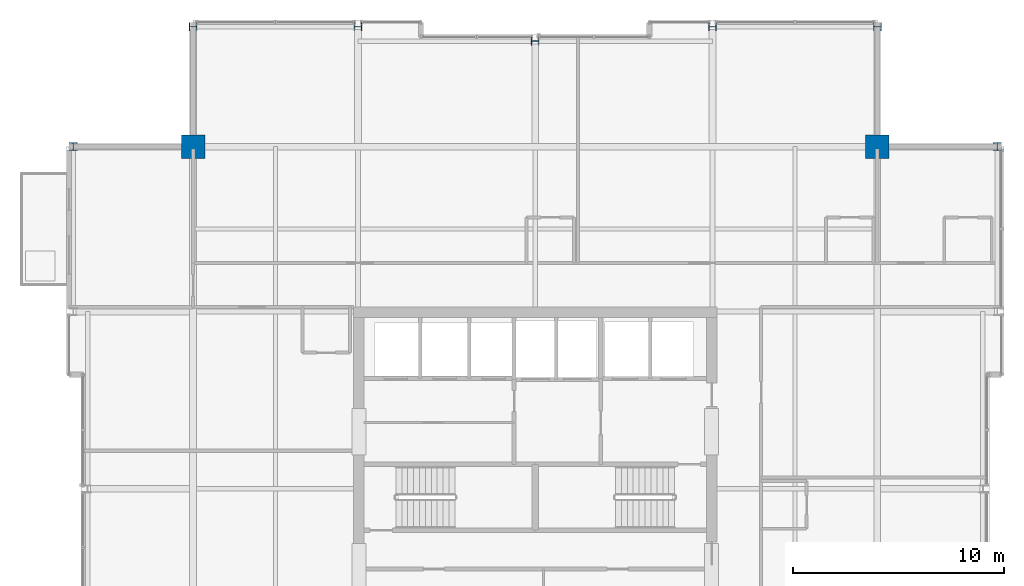
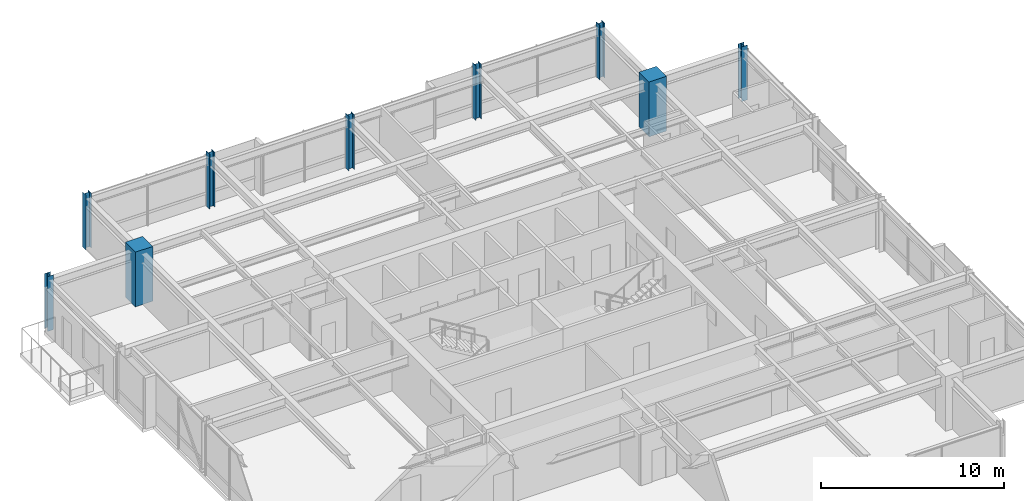
# One storey, part 3 of 33: 9 columns.
"""IFC4 building model written with IfcOpenShell, lengths in metres."""

from ifc_helpers import new_model, si_unit, direction, frame, origin, origin_2d, place, context, subcontext, project, spatial, rectangle, i_section, extrude, material, material_profile, profile_set, type_object, element, save


model = new_model("IFC4")

# Units and contexts
model_context = context("Model", 3, precision=1e-05, world=origin(), true_north=direction((0.0, 1.0)))
body_context = subcontext(model_context, "Body", "Model", "MODEL_VIEW")
ifc_project = project(units=[si_unit("LENGTHUNIT", "METRE"), si_unit("AREAUNIT", "SQUARE_METRE"), si_unit("VOLUMEUNIT", "CUBIC_METRE"), si_unit("PLANEANGLEUNIT", "RADIAN"), si_unit("MASSUNIT", "GRAM", prefix="KILO")], contexts=[model_context])

# Site, building, storey
site_placement = place(None, origin())
site = spatial("IfcSite", under=ifc_project, at=site_placement, CompositionType="ELEMENT")
building_placement = place(site_placement, origin())
building = spatial("IfcBuilding", under=site, at=building_placement, Name="Drelvath Grand Hotel", CompositionType="ELEMENT")
storey_placement = place(building_placement, frame((0.0, 0.0, 279.60009765625)))
storey = spatial("IfcBuildingStorey", under=building, at=storey_placement, Name="L73", CompositionType="ELEMENT", Elevation=279.60009765625)

# Columns
ifc_material_1 = material(Name="Concrete f'c 55 MPa", Category="concrete")
ifc_material_profile_1 = material_profile(ifc_material_1, rectangle(XDim=1.10009765625, YDim=1.10009765625, at=origin_2d()), Name="MC1100X1100")
ifc_profile_set_1 = profile_set([ifc_material_profile_1], Name="Concrete f'c 55 MPa")
column_type_1 = type_object("IfcColumnType", Name="Composite Mega Column MC1100X1100", PredefinedType="COLUMN", material=ifc_profile_set_1)
for number, where, z_axis, x_axis, name in (
    (1, (-16.199951171875, 43.199951171875, 0.0), (0.0, 0.0, 1.0), (1.0, 0.0, 0.0), "L73 Composite Mega Column MC-NW"),
    (2, (16.199951171875, 43.199951171875, 0.0), (0.0, 0.0, 1.0), (1.0, 0.0, 0.0), "L73 Composite Mega Column MC-NE"),
):
    element("IfcColumn", number, at=place(storey_placement, frame(where, z_axis=z_axis, x_axis=x_axis)), inside=storey, type_object=column_type_1, Name=name, PredefinedType="COLUMN", context=body_context, shape_type="SweptSolid", body=[
        extrude(rectangle(XDim=1.10009765625, YDim=1.10009765625, at=origin_2d()), origin(), (0.0, 0.0, 1.0), 3.64990234375),
    ])
ifc_material_2 = material(Name="Steel ASTM A913 Gr 65", Category="steel")
ifc_material_profile_2 = material_profile(ifc_material_2, i_section(OverallWidth=0.368896484375, OverallDepth=0.356201171875, WebThickness=0.01123046875, FlangeThickness=0.01806640625, FilletRadius=0.02490234375, at=origin_2d()), Name="W14X90")
ifc_profile_set_2 = profile_set([ifc_material_profile_2], Name="Steel ASTM A913 Gr 65")
column_type_2 = type_object("IfcColumnType", Name="Perimeter Steel Column W14X90", PredefinedType="COLUMN", material=ifc_profile_set_2)
for number, where, z_axis, x_axis, name in (
    (3, (-21.8798828125, 43.199951171875, 0.0), (0.0, 0.0, 1.0), (1.0, 0.0, 0.0), "L73 Structural Column TCW-G"),
    (4, (21.8798828125, 43.199951171875, 0.0), (0.0, 0.0, 1.0), (1.0, 0.0, 0.0), "L73 Structural Column TCE-G"),
    (5, (-16.199951171875, 48.8798828125, 0.0), (0.0, 0.0, 1.0), (0.0, 1.0, 0.0), "L73 Structural Column TCN-3"),
    (6, (-8.39990234375, 48.8798828125, 0.0), (0.0, 0.0, 1.0), (0.0, 1.0, 0.0), "L73 Structural Column TCN-4"),
    (7, (0.0, 48.199951171875, 0.0), (0.0, 0.0, 1.0), (0.0, 1.0, 0.0), "L73 Structural Column TCN-5"),
    (8, (8.39990234375, 48.8798828125, 0.0), (0.0, 0.0, 1.0), (0.0, 1.0, 0.0), "L73 Structural Column TCN-6"),
    (9, (16.199951171875, 48.8798828125, 0.0), (0.0, 0.0, 1.0), (0.0, 1.0, 0.0), "L73 Structural Column TCN-7"),
):
    element("IfcColumn", number, at=place(storey_placement, frame(where, z_axis=z_axis, x_axis=x_axis)), inside=storey, type_object=column_type_2, Name=name, PredefinedType="COLUMN", context=body_context, shape_type="SweptSolid", body=[
        extrude(i_section(OverallWidth=0.368896484375, OverallDepth=0.356201171875, WebThickness=0.01123046875, FlangeThickness=0.01806640625, FilletRadius=0.02490234375, at=origin_2d()), origin(), (0.0, 0.0, 1.0), 3.64697265625),
    ])

save(model, "model.ifc")
